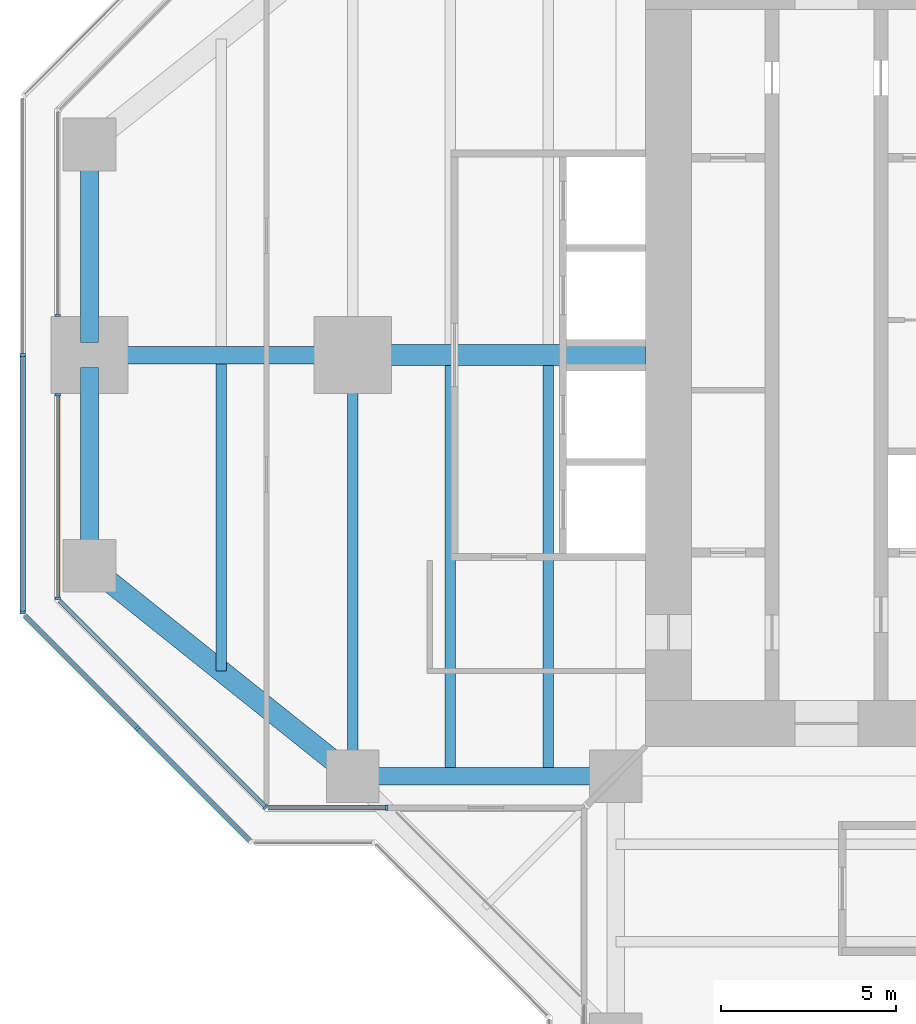
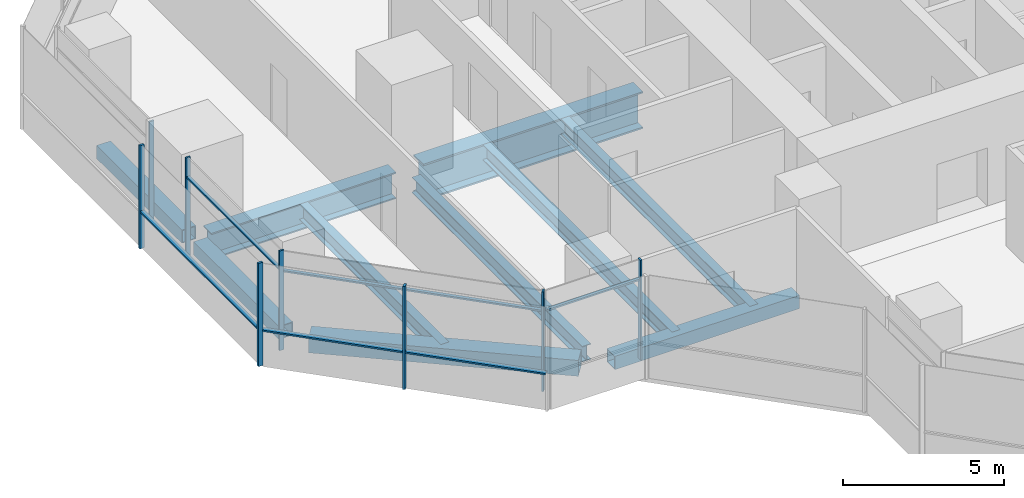
# One storey, part 3 of 17: 14 members, 10 beams, 6 elements without a shape of their own.
"""IFC4 building model written with IfcOpenShell, lengths in metres."""

from ifc_helpers import new_model, si_unit, direction, frame, origin, origin_2d, place, context, subcontext, project, spatial, rectangle, hollow_rectangle, i_section, extrude, material, material_profile, profile_set, type_object, element, aggregate, save


model = new_model("IFC4")

# Units and contexts
model_context = context("Model", 3, precision=1e-05, world=origin(), true_north=direction((0.0, 1.0)))
body_context = subcontext(model_context, "Body", "Model", "MODEL_VIEW")
ifc_project = project(units=[si_unit("LENGTHUNIT", "METRE"), si_unit("AREAUNIT", "SQUARE_METRE"), si_unit("VOLUMEUNIT", "CUBIC_METRE"), si_unit("PLANEANGLEUNIT", "RADIAN"), si_unit("MASSUNIT", "GRAM", prefix="KILO")], contexts=[model_context])

# Site, building, storey
site_placement = place(None, origin())
site = spatial("IfcSite", under=ifc_project, at=site_placement, CompositionType="ELEMENT")
building_placement = place(site_placement, origin())
building = spatial("IfcBuilding", under=site, at=building_placement, Name="Mizan Broadcast Tower", CompositionType="ELEMENT")
storey_placement = place(building_placement, frame((0.0, 0.0, 216.60009765625)))
storey = spatial("IfcBuildingStorey", under=building, at=storey_placement, Name="L50", CompositionType="ELEMENT", Elevation=216.60009765625)

# Beams
ifc_material_1 = material(Name="Steel S355", Category="steel")
ifc_material_profile_1 = material_profile(ifc_material_1, hollow_rectangle(XDim=0.5, YDim=0.5, WallThickness=0.030029296875, at=origin_2d()), Name="BOX 500x500x30")
ifc_profile_set_1 = profile_set([ifc_material_profile_1], Name="Steel S355")
beam_type_1 = type_object("IfcBeamType", Name="EDGE BEAM BOX 500x500x30", PredefinedType="SPANDREL", material=ifc_profile_set_1)
beam_1_placement = place(storey_placement, frame((-27.0, 5.639892578125, -0.380126953125), z_axis=(0.0, -1.0, 0.0), x_axis=(1.0, 0.0, 0.0)))
element("IfcBeam", 1, at=beam_1_placement, inside=storey, type_object=beam_type_1, Name="Edge beam BOX 500x500x30 L50 west arm", PredefinedType="SPANDREL", context=body_context, shape_type="SweptSolid", body=[
    extrude(hollow_rectangle(XDim=0.5, YDim=0.5, WallThickness=0.030029296875, at=origin_2d()), origin(), (0.0, 0.0, 1.0), 5.27978515625),
])
beam_2_placement = place(storey_placement, frame((-12.449951171875, -12.0, -0.380126953125), z_axis=(-1.0, 0.0, 0.0), x_axis=(0.0, -1.0, 0.0)))
element("IfcBeam", 2, at=beam_2_placement, inside=storey, type_object=beam_type_1, Name="Edge beam BOX 500x500x30 L50 west arm", PredefinedType="SPANDREL", context=body_context, shape_type="SweptSolid", body=[
    extrude(hollow_rectangle(XDim=0.5, YDim=0.5, WallThickness=0.030029296875, at=origin_2d()), origin(), (0.0, 0.0, 1.0), 6.60009765625),
])
beam_3_placement = place(storey_placement, frame((-27.0, -5.639892578125, -0.380126953125), z_axis=(0.0, 1.0, 0.0), x_axis=(-1.0, 0.0, 0.0)))
element("IfcBeam", 3, at=beam_3_placement, inside=storey, type_object=beam_type_1, Name="Edge beam BOX 500x500x30 L50 west arm", PredefinedType="SPANDREL", context=body_context, shape_type="SweptSolid", body=[
    extrude(hollow_rectangle(XDim=0.5, YDim=0.5, WallThickness=0.030029296875, at=origin_2d()), origin(), (0.0, 0.0, 1.0), 5.27978515625),
])
ifc_material_2 = material(Name="Steel S355", Category="steel")
ifc_material_profile_2 = material_profile(ifc_material_2, hollow_rectangle(XDim=0.60009765625, YDim=0.60009765625, WallThickness=0.030029296875, at=origin_2d()), Name="BOX 600x600x30")
ifc_profile_set_2 = profile_set([ifc_material_profile_2], Name="Steel S355")
beam_type_2 = type_object("IfcBeamType", Name="EDGE BEAM BOX 600x600x30", PredefinedType="SPANDREL", material=ifc_profile_set_2)
beam_4_placement = place(storey_placement, frame((-19.949951171875, -11.639892578125, -0.43017578125), z_axis=(-0.780885717636, 0.624673911726, 0.0), x_axis=(-0.624673911726, -0.780885717636, 0.0)))
element("IfcBeam", 4, at=beam_4_placement, inside=storey, type_object=beam_type_2, Name="Edge beam BOX 600x600x30 L50 west arm", PredefinedType="SPANDREL", context=body_context, shape_type="SweptSolid", body=[
    extrude(hollow_rectangle(XDim=0.60009765625, YDim=0.60009765625, WallThickness=0.030029296875, at=origin_2d()), origin(), (0.0, 0.0, 1.0), 8.4521484375),
])
ifc_material_3 = material(Name="Steel S355", Category="steel")
ifc_material_profile_3 = material_profile(ifc_material_3, i_section(OverallWidth=0.300048828125, OverallDepth=0.590087890625, WebThickness=0.012939453125, FlangeThickness=0.02490234375, FilletRadius=0.027099609375, at=origin_2d()), Name="HEA 600")
ifc_profile_set_3 = profile_set([ifc_material_profile_3], Name="Steel S355")
beam_type_3 = type_object("IfcBeamType", Name="GIRDER HEA 600", PredefinedType="BEAM", material=ifc_profile_set_3)
beam_5_placement = place(storey_placement, frame((-19.5, -11.280029296875, -0.425048828125), z_axis=(0.0, 1.0, 0.0), x_axis=(-1.0, 0.0, 0.0)))
element("IfcBeam", 5, at=beam_5_placement, inside=storey, type_object=beam_type_3, Name="Girder HEA 600 L50 west arm", PredefinedType="BEAM", context=body_context, shape_type="SweptSolid", body=[
    extrude(i_section(OverallWidth=0.300048828125, OverallDepth=0.590087890625, WebThickness=0.012939453125, FlangeThickness=0.02490234375, FilletRadius=0.027099609375, at=origin_2d()), origin(), (0.0, 0.0, 1.0), 10.56005859375),
])
ifc_material_4 = material(Name="Steel S460", Category="steel")
ifc_material_profile_4 = material_profile(ifc_material_4, i_section(OverallWidth=0.5, OverallDepth=1.0, WebThickness=0.02490234375, FlangeThickness=0.050048828125, at=origin_2d()), Name="WPG 1000x500")
ifc_profile_set_4 = profile_set([ifc_material_profile_4], Name="Steel S460")
beam_type_4 = type_object("IfcBeamType", Name="GIRDER WPG 1000x500", PredefinedType="BEAM", material=ifc_profile_set_4)
beam_6_placement = place(storey_placement, frame((-19.949951171875, 0.0, -0.630126953125), z_axis=(-1.0, 0.0, 0.0), x_axis=(0.0, -1.0, 0.0)))
element("IfcBeam", 6, at=beam_6_placement, inside=storey, type_object=beam_type_4, Name="Girder WPG 1000x500 L50 west arm", PredefinedType="BEAM", context=body_context, shape_type="SweptSolid", body=[
    extrude(i_section(OverallWidth=0.5, OverallDepth=1.0, WebThickness=0.02490234375, FlangeThickness=0.050048828125, at=origin_2d()), origin(), (0.0, 0.0, 1.0), 6.60009765625),
])
ifc_material_5 = material(Name="Steel S460", Category="steel")
ifc_material_profile_5 = material_profile(ifc_material_5, i_section(OverallWidth=0.60009765625, OverallDepth=1.39990234375, WebThickness=0.02490234375, FlangeThickness=0.06005859375, at=origin_2d()), Name="WPG 1400x600")
ifc_profile_set_5 = profile_set([ifc_material_profile_5], Name="Steel S460")
beam_type_5 = type_object("IfcBeamType", Name="GIRDER WPG 1400x600", PredefinedType="BEAM", material=ifc_profile_set_5)
beam_7_placement = place(storey_placement, frame((-11.14990234375, 0.0, -0.830078125), z_axis=(-1.0, 0.0, 0.0), x_axis=(0.0, -1.0, 0.0)))
element("IfcBeam", 7, at=beam_7_placement, inside=storey, type_object=beam_type_5, Name="Girder WPG 1400x600 L50 west arm", PredefinedType="BEAM", context=body_context, shape_type="SweptSolid", body=[
    extrude(i_section(OverallWidth=0.60009765625, OverallDepth=1.39990234375, WebThickness=0.02490234375, FlangeThickness=0.06005859375, at=origin_2d()), origin(), (0.0, 0.0, 1.0), 7.84912109375),
])

# Curtain wall, member
ifc_material_6 = material(Name="Aluminium framed glazing", Category="aluminium")
curtain_wall_type_1 = type_object("IfcCurtainWallType", Name="INNER SKIN HIGH ZONE", PredefinedType="USERDEFINED", material=ifc_material_6)
curtain_wall_1_placement = place(storey_placement, origin())
curtain_wall_1 = element("IfcCurtainWall", 8, at=curtain_wall_1_placement, inside=storey, type_object=curtain_wall_type_1, Name="Inner skin high zone L50 W end", ObjectType="INNER SKIN HIGH ZONE", PredefinedType="USERDEFINED")
ifc_material_7 = material(Name="Aluminium, pale anodised", Category="aluminium")
ifc_material_profile_6 = material_profile(ifc_material_7, rectangle(XDim=0.159912109375, YDim=0.06005859375, at=origin_2d()), Name="MULLION 160x60")
ifc_profile_set_6 = profile_set([ifc_material_profile_6], Name="Aluminium, pale anodised")
member_type_1 = type_object("IfcMemberType", Name="INNER SKIN MULLION 60x160", PredefinedType="MULLION", material=ifc_profile_set_6)
member_1_placement = place(storey_placement, frame((-27.89990234375, 1.1298828125, 0.0), z_axis=(0.0, 0.0, 1.0), x_axis=(1.0, 0.0, 0.0)))
member_1 = element("IfcMember", 9, at=member_1_placement, type_object=member_type_1, Name="Inner skin high zone L50 W end mullion 2", PredefinedType="MULLION", context=body_context, shape_type="SweptSolid", body=[
    extrude(rectangle(XDim=0.159912109375, YDim=0.06005859375, at=origin_2d()), origin(), (0.0, 0.0, 1.0), 3.77001953125),
])
aggregate(curtain_wall_1, [member_1])

# Curtain wall, members
curtain_wall_2_placement = place(storey_placement, origin())
curtain_wall_2 = element("IfcCurtainWall", 10, at=curtain_wall_2_placement, inside=storey, type_object=curtain_wall_type_1, Name="Inner skin high zone L50 W end", ObjectType="INNER SKIN HIGH ZONE", PredefinedType="USERDEFINED")
member_2_placement = place(storey_placement, frame((-27.89990234375, -1.1298828125, 0.0), z_axis=(0.0, 0.0, 1.0), x_axis=(1.0, 0.0, 0.0)))
member_2 = element("IfcMember", 11, at=member_2_placement, type_object=member_type_1, Name="Inner skin high zone L50 W end mullion 1", PredefinedType="MULLION", context=body_context, shape_type="SweptSolid", body=[
    extrude(rectangle(XDim=0.159912109375, YDim=0.06005859375, at=origin_2d()), origin(), (0.0, 0.0, 1.0), 3.77001953125),
])
member_3_placement = place(storey_placement, frame((-27.89990234375, -6.928466796875, 0.0), z_axis=(0.0, 0.0, 1.0), x_axis=(1.0, 0.0, 0.0)))
member_3 = element("IfcMember", 12, at=member_3_placement, type_object=member_type_1, Name="Inner skin high zone L50 W end mullion 2", PredefinedType="MULLION", context=body_context, shape_type="SweptSolid", body=[
    extrude(rectangle(XDim=0.159912109375, YDim=0.06005859375, at=origin_2d()), origin(), (0.0, 0.0, 1.0), 3.77001953125),
])

# Curtain wall, member
curtain_wall_3_placement = place(storey_placement, origin())
curtain_wall_3 = element("IfcCurtainWall", 13, at=curtain_wall_3_placement, inside=storey, type_object=curtain_wall_type_1, Name="Inner skin high zone L50 W chamfer", ObjectType="INNER SKIN HIGH ZONE", PredefinedType="USERDEFINED")
member_4_placement = place(storey_placement, frame((-21.979736328125, -12.87890625, 0.0), z_axis=(0.0, 0.0, 1.0), x_axis=(0.707106781187, 0.707106781187, 0.0)))
member_4 = element("IfcMember", 14, at=member_4_placement, type_object=member_type_1, Name="Inner skin high zone L50 W chamfer mullion 2", PredefinedType="MULLION", context=body_context, shape_type="SweptSolid", body=[
    extrude(rectangle(XDim=0.159912109375, YDim=0.06005859375, at=origin_2d()), origin(), (0.0, 0.0, 1.0), 3.77001953125),
])

curtain_wall_4_placement = place(storey_placement, origin())
curtain_wall_4 = element("IfcCurtainWall", 15, at=curtain_wall_4_placement, inside=storey, type_object=curtain_wall_type_1, Name="Inner skin high zone L50 W side", ObjectType="INNER SKIN HIGH ZONE", PredefinedType="USERDEFINED")
member_5_placement = place(storey_placement, frame((-18.530029296875, -12.89990234375, 0.0), z_axis=(0.0, 0.0, 1.0), x_axis=(0.0, 1.0, 0.0)))
member_5 = element("IfcMember", 16, at=member_5_placement, type_object=member_type_1, Name="Inner skin high zone L50 W side mullion 2", PredefinedType="MULLION", context=body_context, shape_type="SweptSolid", body=[
    extrude(rectangle(XDim=0.159912109375, YDim=0.06005859375, at=origin_2d()), origin(), (0.0, 0.0, 1.0), 3.77001953125),
])

# Member
ifc_material_8 = material(Name="Aluminium, pale anodised", Category="aluminium")
ifc_material_profile_7 = material_profile(ifc_material_8, rectangle(XDim=0.1201171875, YDim=0.06005859375, at=origin_2d()), Name="TRANSOM 120x60")
ifc_profile_set_7 = profile_set([ifc_material_profile_7], Name="Aluminium, pale anodised")
member_type_2 = type_object("IfcMemberType", Name="INNER SKIN TRANSOM 60x120", PredefinedType="USERDEFINED", material=ifc_profile_set_7)
member_6_placement = place(storey_placement, frame((-27.89990234375, -1.159912109375, 3.02978515625), z_axis=(0.0, -1.0, 0.0), x_axis=(1.0, 0.0, 0.0)))
member_6 = element("IfcMember", 17, at=member_6_placement, type_object=member_type_2, Name="Inner skin high zone L50 W end transom 1.1", ObjectType="TRANSOM", PredefinedType="USERDEFINED", context=body_context, shape_type="SweptSolid", body=[
    extrude(rectangle(XDim=0.1201171875, YDim=0.06005859375, at=origin_2d()), origin(), (0.0, 0.0, 1.0), 5.73876953125),
])

aggregate(curtain_wall_2, [member_2, member_3, member_6])

member_7_placement = place(storey_placement, frame((-27.857666015625, -7.0009765625, 3.02978515625), z_axis=(0.707106781187, -0.707106781187, 0.0), x_axis=(0.707106781187, 0.707106781187, 0.0)))
member_7 = element("IfcMember", 18, at=member_7_placement, type_object=member_type_2, Name="Inner skin high zone L50 W chamfer transom 1.1", ObjectType="TRANSOM", PredefinedType="USERDEFINED", context=body_context, shape_type="SweptSolid", body=[
    extrude(rectangle(XDim=0.1201171875, YDim=0.06005859375, at=origin_2d()), origin(), (0.0, 0.0, 1.0), 8.28271484375),
])

aggregate(curtain_wall_3, [member_4, member_7])

member_8_placement = place(storey_placement, frame((-21.898681640625, -12.89990234375, 3.02978515625), z_axis=(1.0, 0.0, 0.0), x_axis=(0.0, 1.0, 0.0)))
member_8 = element("IfcMember", 19, at=member_8_placement, type_object=member_type_2, Name="Inner skin high zone L50 W side transom 1.1", ObjectType="TRANSOM", PredefinedType="USERDEFINED", context=body_context, shape_type="SweptSolid", body=[
    extrude(rectangle(XDim=0.1201171875, YDim=0.06005859375, at=origin_2d()), origin(), (0.0, 0.0, 1.0), 3.338623046875),
])

aggregate(curtain_wall_4, [member_5, member_8])

# Curtain wall, members
ifc_material_9 = material(Name="Aluminium framed glazing", Category="aluminium")
curtain_wall_type_2 = type_object("IfcCurtainWallType", Name="OUTER SKIN", PredefinedType="USERDEFINED", material=ifc_material_9)
curtain_wall_5_placement = place(storey_placement, origin())
curtain_wall_5 = element("IfcCurtainWall", 20, at=curtain_wall_5_placement, inside=storey, type_object=curtain_wall_type_2, Name="Outer skin L50 W end", ObjectType="OUTER SKIN", PredefinedType="USERDEFINED")
ifc_material_10 = material(Name="Aluminium, pale anodised", Category="aluminium")
ifc_material_profile_8 = material_profile(ifc_material_10, rectangle(XDim=0.159912109375, YDim=0.080078125, at=origin_2d()), Name="MULLION 160x80")
ifc_profile_set_8 = profile_set([ifc_material_profile_8], Name="Aluminium, pale anodised")
member_type_3 = type_object("IfcMemberType", Name="OUTER SKIN MULLION 80x160", PredefinedType="MULLION", material=ifc_profile_set_8)
member_9_placement = place(storey_placement, frame((-28.89990234375, 0.0, 0.0), z_axis=(0.0, 0.0, 1.0), x_axis=(1.0, 0.0, 0.0)))
member_9 = element("IfcMember", 21, at=member_9_placement, type_object=member_type_3, Name="Outer skin L50 W end mullion 2", PredefinedType="MULLION", context=body_context, shape_type="SweptSolid", body=[
    extrude(rectangle(XDim=0.159912109375, YDim=0.080078125, at=origin_2d()), origin(), (0.0, 0.0, 1.0), 3.89990234375),
])
member_10_placement = place(storey_placement, frame((-28.89990234375, -7.332763671875, 0.0), z_axis=(0.0, 0.0, 1.0), x_axis=(1.0, 0.0, 0.0)))
member_10 = element("IfcMember", 22, at=member_10_placement, type_object=member_type_3, Name="Outer skin L50 W end mullion 3", PredefinedType="MULLION", context=body_context, shape_type="SweptSolid", body=[
    extrude(rectangle(XDim=0.159912109375, YDim=0.080078125, at=origin_2d()), origin(), (0.0, 0.0, 1.0), 3.89990234375),
])

# Curtain wall, member
curtain_wall_6_placement = place(storey_placement, origin())
curtain_wall_6 = element("IfcCurtainWall", 23, at=curtain_wall_6_placement, inside=storey, type_object=curtain_wall_type_2, Name="Outer skin L50 W chamfer", ObjectType="OUTER SKIN", PredefinedType="USERDEFINED")
member_11_placement = place(storey_placement, frame((-25.636474609375, -10.636474609375, 0.0), z_axis=(0.0, 0.0, 1.0), x_axis=(0.707106781187, 0.707106781187, 0.0)))
member_11 = element("IfcMember", 24, at=member_11_placement, type_object=member_type_3, Name="Outer skin L50 W chamfer mullion 2", PredefinedType="MULLION", context=body_context, shape_type="SweptSolid", body=[
    extrude(rectangle(XDim=0.159912109375, YDim=0.080078125, at=origin_2d()), origin(), (0.0, 0.0, 1.0), 3.89990234375),
])

# Member
ifc_material_11 = material(Name="Aluminium, pale anodised", Category="aluminium")
ifc_material_profile_9 = material_profile(ifc_material_11, rectangle(XDim=0.159912109375, YDim=0.06005859375, at=origin_2d()), Name="TRANSOM 160x60")
ifc_profile_set_9 = profile_set([ifc_material_profile_9], Name="Aluminium, pale anodised")
member_type_4 = type_object("IfcMemberType", Name="OUTER SKIN TRANSOM 60x160", PredefinedType="USERDEFINED", material=ifc_profile_set_9)
member_12_placement = place(storey_placement, frame((-28.89990234375, -0.0400390625, 1.39990234375), z_axis=(0.0, -1.0, 0.0), x_axis=(1.0, 0.0, 0.0)))
member_12 = element("IfcMember", 25, at=member_12_placement, type_object=member_type_4, Name="Outer skin L50 W end transom 2.1", ObjectType="TRANSOM", PredefinedType="USERDEFINED", context=body_context, shape_type="SweptSolid", body=[
    extrude(rectangle(XDim=0.159912109375, YDim=0.06005859375, at=origin_2d()), origin(), (0.0, 0.0, 1.0), 7.252685546875),
])

aggregate(curtain_wall_5, [member_9, member_10, member_12])

member_13_placement = place(storey_placement, frame((-28.843505859375, -7.429443359375, 1.39990234375), z_axis=(0.707106781187, -0.707106781187, 0.0), x_axis=(0.707106781187, 0.707106781187, 0.0)))
member_13 = element("IfcMember", 26, at=member_13_placement, type_object=member_type_4, Name="Outer skin L50 W chamfer transom 1.1", ObjectType="TRANSOM", PredefinedType="USERDEFINED", context=body_context, shape_type="SweptSolid", body=[
    extrude(rectangle(XDim=0.159912109375, YDim=0.06005859375, at=origin_2d()), origin(), (0.0, 0.0, 1.0), 4.495361328125),
])

member_14_placement = place(storey_placement, frame((-25.608154296875, -10.664794921875, 1.39990234375), z_axis=(0.707106781187, -0.707106781187, 0.0), x_axis=(0.707106781187, 0.707106781187, 0.0)))
member_14 = element("IfcMember", 27, at=member_14_placement, type_object=member_type_4, Name="Outer skin L50 W chamfer transom 2.1", ObjectType="TRANSOM", PredefinedType="USERDEFINED", context=body_context, shape_type="SweptSolid", body=[
    extrude(rectangle(XDim=0.159912109375, YDim=0.06005859375, at=origin_2d()), origin(), (0.0, 0.0, 1.0), 4.495361328125),
])

aggregate(curtain_wall_6, [member_11, member_13, member_14])

# Beams
ifc_material_12 = material(Name="Steel S355", Category="steel")
ifc_material_profile_10 = material_profile(ifc_material_12, i_section(OverallWidth=0.300048828125, OverallDepth=0.590087890625, WebThickness=0.012939453125, FlangeThickness=0.02490234375, FilletRadius=0.027099609375, at=origin_2d()), Name="HEA 600")
ifc_profile_set_10 = profile_set([ifc_material_profile_10], Name="Steel S355")
beam_type_6 = type_object("IfcBeamType", Name="SECONDARY BEAM HEA 600", PredefinedType="JOIST", material=ifc_profile_set_10)
for number, where, z_axis, x_axis, name in (
    (28, (-13.933349609375, -12.0, -0.425048828125), (0.0, 1.0, 0.0), (-1.0, 0.0, 0.0), "Secondary beam HEA 600 L50 west arm"),
    (29, (-16.716552734375, -12.0, -0.425048828125), (0.0, 1.0, 0.0), (-1.0, 0.0, 0.0), "Secondary beam HEA 600 L50 west arm"),
):
    element("IfcBeam", number, at=place(storey_placement, frame(where, z_axis=z_axis, x_axis=x_axis)), inside=storey, type_object=beam_type_6, Name=name, PredefinedType="JOIST", context=body_context, shape_type="SweptSolid", body=[
        extrude(i_section(OverallWidth=0.300048828125, OverallDepth=0.590087890625, WebThickness=0.012939453125, FlangeThickness=0.02490234375, FilletRadius=0.027099609375, at=origin_2d()), origin(), (0.0, 0.0, 1.0), 11.699951171875),
    ])
beam_8_placement = place(storey_placement, frame((-23.25, -9.0, -0.425048828125), z_axis=(0.0, 1.0, 0.0), x_axis=(-1.0, 0.0, 0.0)))
element("IfcBeam", 30, at=beam_8_placement, inside=storey, type_object=beam_type_6, Name="Secondary beam HEA 600 L50 west arm", PredefinedType="JOIST", context=body_context, shape_type="SweptSolid", body=[
    extrude(i_section(OverallWidth=0.300048828125, OverallDepth=0.590087890625, WebThickness=0.012939453125, FlangeThickness=0.02490234375, FilletRadius=0.027099609375, at=origin_2d()), origin(), (0.0, 0.0, 1.0), 8.75),
])

save(model, "model.ifc")
